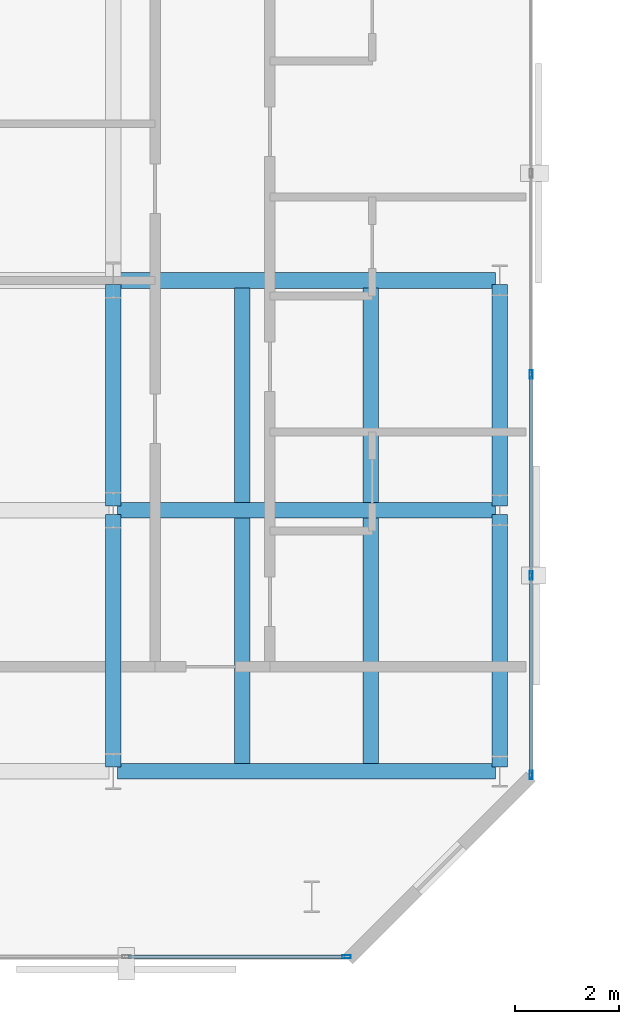
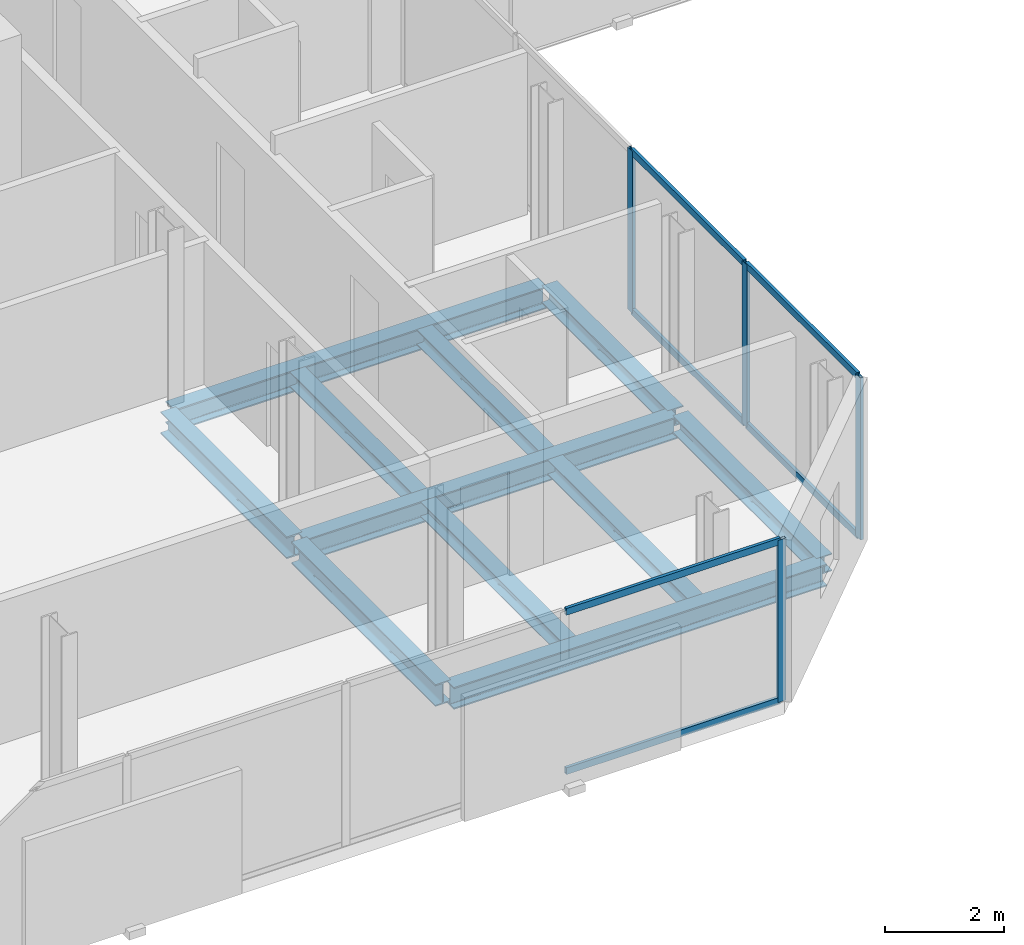
# One storey, part 7 of 32: 11 beams, 10 members, 2 elements without a shape of their own.
"""IFC4 building model written with IfcOpenShell, lengths in metres."""

from ifc_helpers import new_model, si_unit, direction, frame, origin, origin_2d, place, context, subcontext, project, spatial, hollow_rectangle, i_section, extrude, material, layer, layer_set, material_profile, profile_set, type_object, element, aggregate, save


model = new_model("IFC4")

# Units and contexts
model_context = context("Model", 3, precision=1e-05, world=origin(), true_north=direction((0.0, 1.0)))
body_context = subcontext(model_context, "Body", "Model", "MODEL_VIEW")
ifc_project = project(units=[si_unit("LENGTHUNIT", "METRE"), si_unit("AREAUNIT", "SQUARE_METRE"), si_unit("VOLUMEUNIT", "CUBIC_METRE"), si_unit("PLANEANGLEUNIT", "RADIAN"), si_unit("MASSUNIT", "GRAM", prefix="KILO")], contexts=[model_context])

# Site, building, storey
site_placement = place(None, origin())
site = spatial("IfcSite", under=ifc_project, at=site_placement, CompositionType="ELEMENT")
building_placement = place(site_placement, origin())
building = spatial("IfcBuilding", under=site, at=building_placement, Name="Catumbela Crestline Tower", CompositionType="ELEMENT")
storey_placement = place(building_placement, frame((0.0, 0.0, 133.2)))
storey = spatial("IfcBuildingStorey", under=building, at=storey_placement, Name="L34", CompositionType="ELEMENT", Elevation=133.2)

# Beams
ifc_material_1 = material(Name="Structural steel S355J2", Category="steel")
ifc_material_profile_1 = material_profile(ifc_material_1, i_section(OverallWidth=0.3, OverallDepth=0.45, WebThickness=0.014, FlangeThickness=0.026, FilletRadius=0.027, at=origin_2d()), Name="HEB 450")
ifc_profile_set_1 = profile_set([ifc_material_profile_1], Name="Structural steel S355J2")
beam_type_1 = type_object("IfcBeamType", Name="BG-HEB450", PredefinedType="BEAM", material=ifc_profile_set_1)
for number, where, z_axis, x_axis, name in (
    (1, (16.08, 8.6, -0.485), (1.0, 0.0, 0.0), (0.0, 1.0, 0.0), "L34 Beam BM-L34-WEW45"),
    (2, (16.08, 13.6, -0.485), (1.0, 0.0, 0.0), (0.0, 1.0, 0.0), "L34 Beam BM-L34-WEW48"),
    (3, (16.08, 18.0, -0.485), (1.0, 0.0, 0.0), (0.0, 1.0, 0.0), "L34 Beam BM-L34-WEW51"),
):
    element("IfcBeam", number, at=place(storey_placement, frame(where, z_axis=z_axis, x_axis=x_axis)), inside=storey, type_object=beam_type_1, Name=name, PredefinedType="BEAM", context=body_context, shape_type="SweptSolid", body=[
        extrude(i_section(OverallWidth=0.3, OverallDepth=0.45, WebThickness=0.014, FlangeThickness=0.026, FilletRadius=0.027, at=origin_2d()), origin(), (0.0, 0.0, 1.0), 7.24),
    ])
beam_1_placement = place(storey_placement, frame((16.0, 8.68, -0.485), z_axis=(0.0, 1.0, 0.0), x_axis=(-1.0, 0.0, 0.0)))
element("IfcBeam", 4, at=beam_1_placement, inside=storey, type_object=beam_type_1, Name="L34 Beam BM-L34-WNS58", PredefinedType="BEAM", context=body_context, shape_type="SweptSolid", body=[
    extrude(i_section(OverallWidth=0.3, OverallDepth=0.45, WebThickness=0.014, FlangeThickness=0.026, FilletRadius=0.027, at=origin_2d()), origin(), (0.0, 0.0, 1.0), 4.84),
])
beam_2_placement = place(storey_placement, frame((16.0, 13.68, -0.485), z_axis=(0.0, 1.0, 0.0), x_axis=(-1.0, 0.0, 0.0)))
element("IfcBeam", 5, at=beam_2_placement, inside=storey, type_object=beam_type_1, Name="L34 Beam BM-L34-WNS59", PredefinedType="BEAM", context=body_context, shape_type="SweptSolid", body=[
    extrude(i_section(OverallWidth=0.3, OverallDepth=0.45, WebThickness=0.014, FlangeThickness=0.026, FilletRadius=0.027, at=origin_2d()), origin(), (0.0, 0.0, 1.0), 4.24),
])
ifc_material_profile_2 = material_profile(ifc_material_1, i_section(OverallWidth=0.3, OverallDepth=0.31, WebThickness=0.009, FlangeThickness=0.0155, FilletRadius=0.027, at=origin_2d()), Name="HEA 320")
ifc_profile_set_2 = profile_set([ifc_material_profile_2], Name="Structural steel S355J2")
beam_type_2 = type_object("IfcBeamType", Name="BJ-HEA320", PredefinedType="JOIST", material=ifc_profile_set_2)
for number, where, z_axis, x_axis, name in (
    (6, (18.467, 8.747, -0.415), (0.0, 1.0, 0.0), (-1.0, 0.0, 0.0), "L34 Joist JS-L34-WG67"),
    (7, (20.933, 8.747, -0.415), (0.0, 1.0, 0.0), (-1.0, 0.0, 0.0), "L34 Joist JS-L34-WG68"),
):
    element("IfcBeam", number, at=place(storey_placement, frame(where, z_axis=z_axis, x_axis=x_axis)), inside=storey, type_object=beam_type_2, Name=name, PredefinedType="JOIST", context=body_context, shape_type="SweptSolid", body=[
        extrude(i_section(OverallWidth=0.3, OverallDepth=0.31, WebThickness=0.009, FlangeThickness=0.0155, FilletRadius=0.027, at=origin_2d()), origin(), (0.0, 0.0, 1.0), 4.706),
    ])
for number, where, z_axis, x_axis, name in (
    (8, (18.467, 13.747, -0.415), (0.0, 1.0, 0.0), (-1.0, 0.0, 0.0), "L34 Joist JS-L34-WG73"),
    (9, (20.933, 13.747, -0.415), (0.0, 1.0, 0.0), (-1.0, 0.0, 0.0), "L34 Joist JS-L34-WG74"),
):
    element("IfcBeam", number, at=place(storey_placement, frame(where, z_axis=z_axis, x_axis=x_axis)), inside=storey, type_object=beam_type_2, Name=name, PredefinedType="JOIST", context=body_context, shape_type="SweptSolid", body=[
        extrude(i_section(OverallWidth=0.3, OverallDepth=0.31, WebThickness=0.009, FlangeThickness=0.0155, FilletRadius=0.027, at=origin_2d()), origin(), (0.0, 0.0, 1.0), 4.106),
    ])

# Curtain wall, member
ifc_material_2 = material(Name="Aluminium alloy AW-6060-T66", Category="aluminium")
ifc_layer = layer(ifc_material_2, 0.18, Name="Aluminium alloy AW-6060-T66")
ifc_layer_set = layer_set([ifc_layer], Name="Aluminium alloy AW-6060-T66")
curtain_wall_type = type_object("IfcCurtainWallType", Name="CWU-Z2", PredefinedType="USERDEFINED", material=ifc_layer_set)
curtain_wall_1_placement = place(storey_placement, origin())
curtain_wall_1 = element("IfcCurtainWall", 10, at=curtain_wall_1_placement, inside=storey, type_object=curtain_wall_type, Name="L34 Unitised Curtain Wall CW-L34-E0S1", ObjectType="UNITISED", PredefinedType="USERDEFINED")
ifc_material_profile_3 = material_profile(ifc_material_2, hollow_rectangle(XDim=0.06, YDim=0.16, WallThickness=0.004, at=origin_2d()), Name="ALU 160x60x4")
ifc_profile_set_3 = profile_set([ifc_material_profile_3], Name="Aluminium alloy AW-6060-T66")
member_type_1 = type_object("IfcMemberType", Name="MUL-160X60", PredefinedType="MULLION", material=ifc_profile_set_3)
member_1_placement = place(storey_placement, frame((20.4675, 5.05, 0.0), z_axis=(0.0, 0.0, 1.0), x_axis=(0.0, 1.0, 0.0)))
member_1 = element("IfcMember", 11, at=member_1_placement, type_object=member_type_1, Name="CWU-Z2 mullion 5", PredefinedType="MULLION", context=body_context, shape_type="SweptSolid", body=[
    extrude(hollow_rectangle(XDim=0.06, YDim=0.16, WallThickness=0.004, at=origin_2d()), origin(), (0.0, 0.0, 1.0), 3.33),
])

# Curtain wall, members
curtain_wall_2_placement = place(storey_placement, origin())
curtain_wall_2 = element("IfcCurtainWall", 12, at=curtain_wall_2_placement, inside=storey, type_object=curtain_wall_type, Name="L34 Unitised Curtain Wall CW-L34-E2S1", ObjectType="UNITISED", PredefinedType="USERDEFINED")
member_2_placement = place(storey_placement, frame((24.0, 8.5325, 0.0), z_axis=(0.0, 0.0, 1.0), x_axis=(-1.0, 0.0, 0.0)))
member_2 = element("IfcMember", 13, at=member_2_placement, type_object=member_type_1, Name="CWU-Z2 mullion 1", PredefinedType="MULLION", context=body_context, shape_type="SweptSolid", body=[
    extrude(hollow_rectangle(XDim=0.06, YDim=0.16, WallThickness=0.004, at=origin_2d()), origin(), (0.0, 0.0, 1.0), 3.33),
])
member_3_placement = place(storey_placement, frame((24.0, 12.35, 0.0), z_axis=(0.0, 0.0, 1.0), x_axis=(-1.0, 0.0, 0.0)))
member_3 = element("IfcMember", 14, at=member_3_placement, type_object=member_type_1, Name="CWU-Z2 mullion 2", PredefinedType="MULLION", context=body_context, shape_type="SweptSolid", body=[
    extrude(hollow_rectangle(XDim=0.06, YDim=0.16, WallThickness=0.004, at=origin_2d()), origin(), (0.0, 0.0, 1.0), 3.33),
])
member_4_placement = place(storey_placement, frame((24.0, 16.2, 0.0), z_axis=(0.0, 0.0, 1.0), x_axis=(-1.0, 0.0, 0.0)))
member_4 = element("IfcMember", 15, at=member_4_placement, type_object=member_type_1, Name="CWU-Z2 mullion 3", PredefinedType="MULLION", context=body_context, shape_type="SweptSolid", body=[
    extrude(hollow_rectangle(XDim=0.06, YDim=0.16, WallThickness=0.004, at=origin_2d()), origin(), (0.0, 0.0, 1.0), 3.33),
])

# Beams
ifc_material_profile_4 = material_profile(ifc_material_1, i_section(OverallWidth=0.3, OverallDepth=0.36, WebThickness=0.0125, FlangeThickness=0.0225, FilletRadius=0.027, at=origin_2d()), Name="HEB 360")
ifc_profile_set_4 = profile_set([ifc_material_profile_4], Name="Structural steel S355J2")
beam_type_3 = type_object("IfcBeamType", Name="BS-HEB360", PredefinedType="SPANDREL", material=ifc_profile_set_4)
beam_3_placement = place(storey_placement, frame((23.4, 8.68, -0.44), z_axis=(0.0, 1.0, 0.0), x_axis=(-1.0, 0.0, 0.0)))
element("IfcBeam", 16, at=beam_3_placement, inside=storey, type_object=beam_type_3, Name="L34 Spandrel SP-L34-WNS61", PredefinedType="SPANDREL", context=body_context, shape_type="SweptSolid", body=[
    extrude(i_section(OverallWidth=0.3, OverallDepth=0.36, WebThickness=0.0125, FlangeThickness=0.0225, FilletRadius=0.027, at=origin_2d()), origin(), (0.0, 0.0, 1.0), 4.84),
])
beam_4_placement = place(storey_placement, frame((23.4, 13.68, -0.44), z_axis=(0.0, 1.0, 0.0), x_axis=(-1.0, 0.0, 0.0)))
element("IfcBeam", 17, at=beam_4_placement, inside=storey, type_object=beam_type_3, Name="L34 Spandrel SP-L34-WNS62", PredefinedType="SPANDREL", context=body_context, shape_type="SweptSolid", body=[
    extrude(i_section(OverallWidth=0.3, OverallDepth=0.36, WebThickness=0.0125, FlangeThickness=0.0225, FilletRadius=0.027, at=origin_2d()), origin(), (0.0, 0.0, 1.0), 4.24),
])

# Member
ifc_material_profile_5 = material_profile(ifc_material_2, hollow_rectangle(XDim=0.06, YDim=0.14, WallThickness=0.004, at=origin_2d()), Name="ALU 140x60x4")
ifc_profile_set_5 = profile_set([ifc_material_profile_5], Name="Aluminium alloy AW-6060-T66")
member_type_2 = type_object("IfcMemberType", Name="TRN-140X60", PredefinedType="USERDEFINED", material=ifc_profile_set_5)
member_5_placement = place(storey_placement, frame((16.2825, 5.05, 0.03), z_axis=(1.0, 0.0, 0.0), x_axis=(0.0, 1.0, 0.0)))
member_5 = element("IfcMember", 18, at=member_5_placement, type_object=member_type_2, Name="CWU-Z2 transom 4.1", ObjectType="TRANSOM", PredefinedType="USERDEFINED", context=body_context, shape_type="SweptSolid", body=[
    extrude(hollow_rectangle(XDim=0.06, YDim=0.14, WallThickness=0.004, at=origin_2d()), origin(), (0.0, 0.0, 1.0), 4.1525),
])

member_6_placement = place(storey_placement, frame((16.2825, 5.05, 3.3), z_axis=(1.0, 0.0, 0.0), x_axis=(0.0, 1.0, 0.0)))
member_6 = element("IfcMember", 19, at=member_6_placement, type_object=member_type_2, Name="CWU-Z2 transom 4.2", ObjectType="TRANSOM", PredefinedType="USERDEFINED", context=body_context, shape_type="SweptSolid", body=[
    extrude(hollow_rectangle(XDim=0.06, YDim=0.14, WallThickness=0.004, at=origin_2d()), origin(), (0.0, 0.0, 1.0), 4.1525),
])

aggregate(curtain_wall_1, [member_1, member_5, member_6])

member_7_placement = place(storey_placement, frame((24.0, 8.565, 0.03), z_axis=(0.0, 1.0, 0.0), x_axis=(-1.0, 0.0, 0.0)))
member_7 = element("IfcMember", 20, at=member_7_placement, type_object=member_type_2, Name="CWU-Z2 transom 1.1", ObjectType="TRANSOM", PredefinedType="USERDEFINED", context=body_context, shape_type="SweptSolid", body=[
    extrude(hollow_rectangle(XDim=0.06, YDim=0.14, WallThickness=0.004, at=origin_2d()), origin(), (0.0, 0.0, 1.0), 3.7525),
])

member_8_placement = place(storey_placement, frame((24.0, 8.565, 3.3), z_axis=(0.0, 1.0, 0.0), x_axis=(-1.0, 0.0, 0.0)))
member_8 = element("IfcMember", 21, at=member_8_placement, type_object=member_type_2, Name="CWU-Z2 transom 1.2", ObjectType="TRANSOM", PredefinedType="USERDEFINED", context=body_context, shape_type="SweptSolid", body=[
    extrude(hollow_rectangle(XDim=0.06, YDim=0.14, WallThickness=0.004, at=origin_2d()), origin(), (0.0, 0.0, 1.0), 3.7525),
])

member_9_placement = place(storey_placement, frame((24.0, 12.3825, 0.03), z_axis=(0.0, 1.0, 0.0), x_axis=(-1.0, 0.0, 0.0)))
member_9 = element("IfcMember", 22, at=member_9_placement, type_object=member_type_2, Name="CWU-Z2 transom 2.1", ObjectType="TRANSOM", PredefinedType="USERDEFINED", context=body_context, shape_type="SweptSolid", body=[
    extrude(hollow_rectangle(XDim=0.06, YDim=0.14, WallThickness=0.004, at=origin_2d()), origin(), (0.0, 0.0, 1.0), 3.785),
])

member_10_placement = place(storey_placement, frame((24.0, 12.3825, 3.3), z_axis=(0.0, 1.0, 0.0), x_axis=(-1.0, 0.0, 0.0)))
member_10 = element("IfcMember", 23, at=member_10_placement, type_object=member_type_2, Name="CWU-Z2 transom 2.2", ObjectType="TRANSOM", PredefinedType="USERDEFINED", context=body_context, shape_type="SweptSolid", body=[
    extrude(hollow_rectangle(XDim=0.06, YDim=0.14, WallThickness=0.004, at=origin_2d()), origin(), (0.0, 0.0, 1.0), 3.785),
])

aggregate(curtain_wall_2, [member_2, member_3, member_4, member_7, member_8, member_9, member_10])

save(model, "model.ifc")
